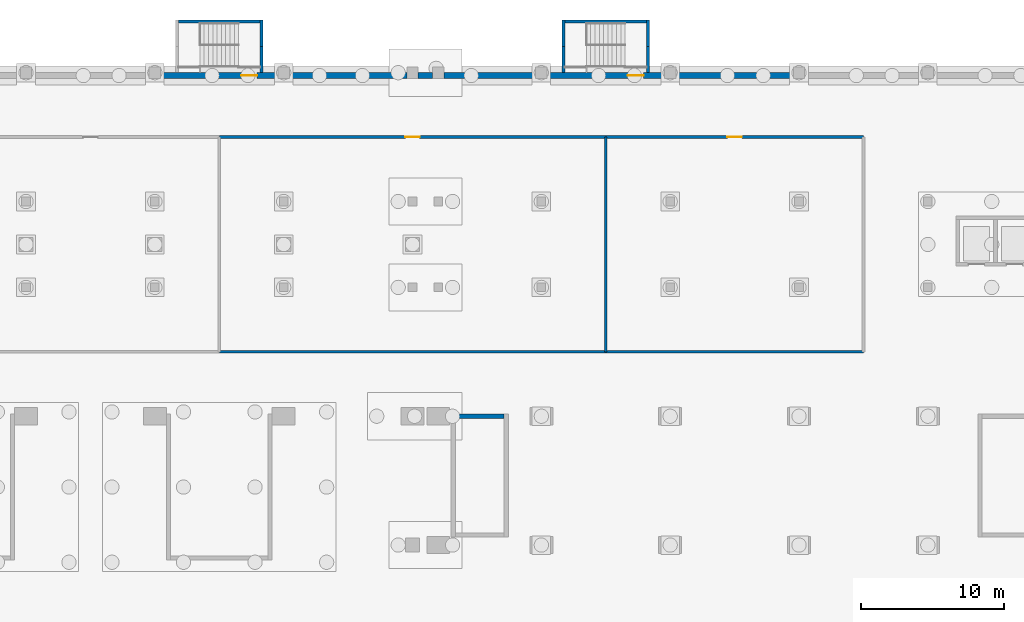
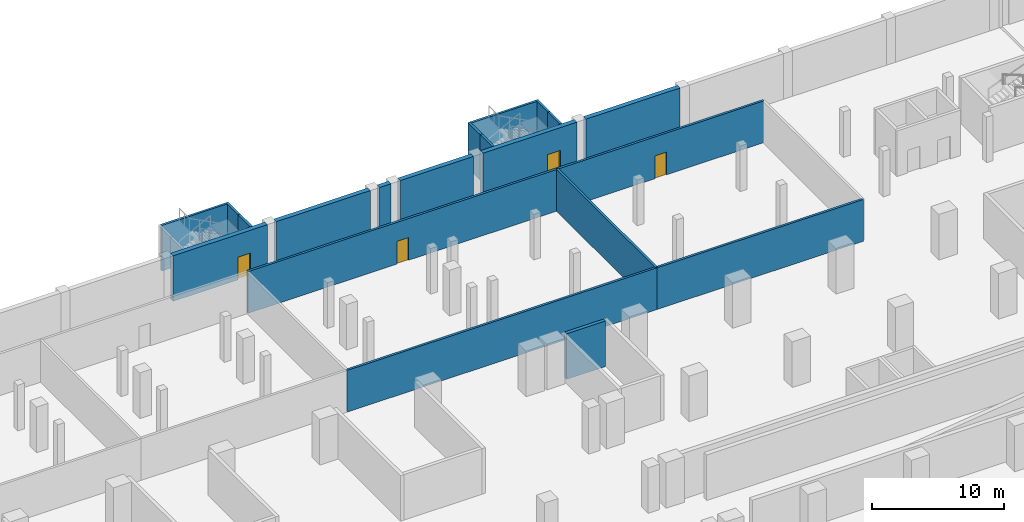
# One storey, part 14 of 29: 20 walls, 4 doors, 4 openings.
"""IFC4 building model written with IfcOpenShell, lengths in metres."""

from ifc_helpers import new_model, si_unit, direction, frame, frame_2d, origin, place, context, subcontext, project, spatial, rectangle, extrude, material, layer, layer_set, type_object, element, fill, save


model = new_model("IFC4")

# Units and contexts
model_context = context("Model", 3, precision=1e-05, world=origin(), true_north=direction((0.0, 1.0)))
body_context = subcontext(model_context, "Body", "Model", "MODEL_VIEW")
ifc_project = project(units=[si_unit("LENGTHUNIT", "METRE"), si_unit("AREAUNIT", "SQUARE_METRE"), si_unit("VOLUMEUNIT", "CUBIC_METRE"), si_unit("PLANEANGLEUNIT", "RADIAN"), si_unit("MASSUNIT", "GRAM", prefix="KILO")], contexts=[model_context])

# Site, building, storey
site_placement = place(None, origin())
site = spatial("IfcSite", under=ifc_project, at=site_placement, CompositionType="ELEMENT")
building_placement = place(site_placement, origin())
building = spatial("IfcBuilding", under=site, at=building_placement, Name="Aravalli Gate Trade Fair Centre", CompositionType="ELEMENT")
storey_placement = place(building_placement, frame((0.0, 0.0, -8.39990234375)))
storey = spatial("IfcBuildingStorey", under=building, at=storey_placement, Name="B2", CompositionType="ELEMENT", Elevation=-8.39990234375)

# Walls
ifc_material_1 = material(Name="Concrete M30", Category="concrete")
ifc_layer_1 = layer(ifc_material_1, 0.199951171875)
ifc_layer_set_1 = layer_set([ifc_layer_1], Name="Concrete M30")
wall_type_1 = type_object("IfcWallType", Name="Basement plant room wall 200", PredefinedType="SOLIDWALL", material=ifc_layer_set_1)
wall_1_placement = place(storey_placement, frame((91.5, 113.5, 0.0), z_axis=(0.0, 0.0, 1.0), x_axis=(1.0, 0.0, 0.0)))
element("IfcWall", 1, at=wall_1_placement, inside=storey, type_object=wall_type_1, Name="Basement plant room wall B2 04.1", PredefinedType="SOLIDWALL", context=body_context, shape_type="SweptSolid", body=[
    extrude(rectangle(XDim=27.0, YDim=0.199951171875, at=frame_2d((13.5, 0.0))), origin(), (0.0, 0.0, 1.0), 3.849853515625),
])
wall_2_placement = place(storey_placement, frame((118.5, 113.5, 0.0), z_axis=(0.0, 0.0, 1.0), x_axis=(1.0, 0.0, 0.0)))
element("IfcWall", 2, at=wall_2_placement, inside=storey, type_object=wall_type_1, Name="Basement plant room wall B2 05.1", PredefinedType="SOLIDWALL", context=body_context, shape_type="SweptSolid", body=[
    extrude(rectangle(XDim=18.0, YDim=0.199951171875, at=frame_2d((9.0, 0.0))), origin(), (0.0, 0.0, 1.0), 3.849853515625),
])

# Wall, opening, door
wall_3_placement = place(storey_placement, frame((91.5, 128.5, 0.0), z_axis=(0.0, 0.0, 1.0), x_axis=(1.0, 0.0, 0.0)))
wall_3 = element("IfcWall", 3, at=wall_3_placement, inside=storey, type_object=wall_type_1, Name="Basement plant room wall B2 09.1", PredefinedType="SOLIDWALL", context=body_context, shape_type="SweptSolid", body=[
    extrude(rectangle(XDim=27.0, YDim=0.199951171875, at=frame_2d((13.5, 0.0))), origin(), (0.0, 0.0, 1.0), 3.849853515625),
])
opening_1_placement = place(wall_3_placement, frame((13.0, 0.0, 0.0)))
opening_1 = element("IfcOpeningElement", 4, at=opening_1_placement, cuts=wall_3, Name="Opening B-B2-17", PredefinedType="OPENING", context=body_context, shape_type="SweptSolid", body=[
    extrude(rectangle(XDim=1.0, YDim=2.10009765625, at=frame_2d((0.5, 1.050048828125))), frame((0.0, 0.10986328125, 0.0), z_axis=(0.0, -1.0, 0.0), x_axis=(1.0, 0.0, 0.0)), (0.0, 0.0, 1.0), 0.219970703125),
])
ifc_material_2 = material(Name="Steel", Category="steel")
door_type_1 = type_object("IfcDoorType", Name="Basement plant door 1000x2100", OperationType="SINGLE_SWING_LEFT", PredefinedType="DOOR", material=ifc_material_2)
door_1_placement = place(opening_1_placement, frame((1.0, 0.0, 0.0), z_axis=(0.0, 0.0, 1.0), x_axis=(-1.0, 0.0, 0.0)))
door_1 = element("IfcDoor", 5, at=door_1_placement, inside=storey, type_object=door_type_1, Name="Door chl B2", OperationType="SINGLE_SWING_RIGHT", OverallHeight=2.10009765625, OverallWidth=1.0, PredefinedType="DOOR", context=body_context, shape_type="SweptSolid", body=[
    extrude(rectangle(XDim=1.0, YDim=2.10009765625, at=frame_2d((0.5, 1.050048828125))), frame((0.0, 0.02490234375, 0.0), z_axis=(0.0, -1.0, 0.0), x_axis=(1.0, 0.0, 0.0)), (0.0, 0.0, 1.0), 0.050048828125),
])
fill(opening_1, door_1)

wall_4_placement = place(storey_placement, frame((118.5, 128.5, 0.0), z_axis=(0.0, 0.0, 1.0), x_axis=(1.0, 0.0, 0.0)))
wall_4 = element("IfcWall", 6, at=wall_4_placement, inside=storey, type_object=wall_type_1, Name="Basement plant room wall B2 10.1", PredefinedType="SOLIDWALL", context=body_context, shape_type="SweptSolid", body=[
    extrude(rectangle(XDim=18.0, YDim=0.199951171875, at=frame_2d((9.0, 0.0))), origin(), (0.0, 0.0, 1.0), 3.849853515625),
])
opening_2_placement = place(wall_4_placement, frame((8.5, 0.0, 0.0)))
opening_2 = element("IfcOpeningElement", 7, at=opening_2_placement, cuts=wall_4, Name="Opening B-B2-18", PredefinedType="OPENING", context=body_context, shape_type="SweptSolid", body=[
    extrude(rectangle(XDim=1.0, YDim=2.10009765625, at=frame_2d((0.5, 1.050048828125))), frame((0.0, 0.10986328125, 0.0), z_axis=(0.0, -1.0, 0.0), x_axis=(1.0, 0.0, 0.0)), (0.0, 0.0, 1.0), 0.219970703125),
])
door_2_placement = place(opening_2_placement, frame((1.0, 0.0, 0.0), z_axis=(0.0, 0.0, 1.0), x_axis=(-1.0, 0.0, 0.0)))
door_2 = element("IfcDoor", 8, at=door_2_placement, inside=storey, type_object=door_type_1, Name="Door vent B2", OperationType="SINGLE_SWING_RIGHT", OverallHeight=2.10009765625, OverallWidth=1.0, PredefinedType="DOOR", context=body_context, shape_type="SweptSolid", body=[
    extrude(rectangle(XDim=1.0, YDim=2.10009765625, at=frame_2d((0.5, 1.050048828125))), frame((0.0, 0.02490234375, 0.0), z_axis=(0.0, -1.0, 0.0), x_axis=(1.0, 0.0, 0.0)), (0.0, 0.0, 1.0), 0.050048828125),
])
fill(opening_2, door_2)

# Wall
wall_5_placement = place(storey_placement, frame((118.5, 113.5, 0.0), z_axis=(0.0, 0.0, 1.0), x_axis=(0.0, 1.0, 0.0)))
element("IfcWall", 9, at=wall_5_placement, inside=storey, type_object=wall_type_1, Name="Basement plant room wall B2 15.1", PredefinedType="SOLIDWALL", context=body_context, shape_type="SweptSolid", body=[
    extrude(rectangle(XDim=15.0, YDim=0.199951171875, at=frame_2d((7.5, 0.0))), origin(), (0.0, 0.0, 1.0), 3.849853515625),
])

# Wall, opening, door
ifc_material_3 = material(Name="Concrete M40", Category="concrete")
ifc_layer_2 = layer(ifc_material_3, 0.39990234375)
ifc_layer_set_2 = layer_set([ifc_layer_2], Name="Concrete M40")
wall_type_2 = type_object("IfcWallType", Name="Basement retaining wall 400", PredefinedType="SOLIDWALL", material=ifc_layer_set_2)
wall_6_placement = place(storey_placement, frame((87.39990234375, 132.800048828125, 0.0), z_axis=(0.0, 0.0, 1.0), x_axis=(1.0, 0.0, 0.0)))
wall_6 = element("IfcWall", 10, at=wall_6_placement, inside=storey, type_object=wall_type_2, Name="Retaining wall N10 B2", PredefinedType="SOLIDWALL", context=body_context, shape_type="SweptSolid", body=[
    extrude(rectangle(XDim=8.2001953125, YDim=0.39990234375, at=frame_2d((4.10009765625, 0.0))), origin(), (0.0, 0.0, 1.0), 4.199951171875),
])
opening_3_placement = place(wall_6_placement, frame((5.64990234375, 0.0, 0.0)))
opening_3 = element("IfcOpeningElement", 11, at=opening_3_placement, cuts=wall_6, Name="Opening B-B2-05", PredefinedType="OPENING", context=body_context, shape_type="SweptSolid", body=[
    extrude(rectangle(XDim=1.10009765625, YDim=2.10009765625, at=frame_2d((0.550048828125, 1.050048828125))), frame((0.0, 0.2099609375, 0.0), z_axis=(0.0, -1.0, 0.0), x_axis=(1.0, 0.0, 0.0)), (0.0, 0.0, 1.0), 0.419921875),
])
door_type_2 = type_object("IfcDoorType", Name="Basement stair door 1100x2100", OperationType="SINGLE_SWING_LEFT", PredefinedType="DOOR", material=ifc_material_2)
door_3_placement = place(opening_3_placement, origin())
door_3 = element("IfcDoor", 12, at=door_3_placement, inside=storey, type_object=door_type_2, Name="Basement stair N3 door B2", OperationType="SINGLE_SWING_RIGHT", OverallHeight=2.10009765625, OverallWidth=1.10009765625, PredefinedType="DOOR", context=body_context, shape_type="SweptSolid", body=[
    extrude(rectangle(XDim=1.10009765625, YDim=2.10009765625, at=frame_2d((0.550048828125, 1.050048828125))), frame((0.0, 0.02490234375, 0.0), z_axis=(0.0, -1.0, 0.0), x_axis=(1.0, 0.0, 0.0)), (0.0, 0.0, 1.0), 0.050048828125),
])
fill(opening_3, door_3)

# Walls
wall_7_placement = place(storey_placement, frame((96.39990234375, 132.800048828125, 0.0), z_axis=(0.0, 0.0, 1.0), x_axis=(1.0, 0.0, 0.0)))
element("IfcWall", 13, at=wall_7_placement, inside=storey, type_object=wall_type_2, Name="Retaining wall N11 B2", PredefinedType="SOLIDWALL", context=body_context, shape_type="SweptSolid", body=[
    extrude(rectangle(XDim=8.2001953125, YDim=0.39990234375, at=frame_2d((4.10009765625, 0.0))), origin(), (0.0, 0.0, 1.0), 4.199951171875),
])
wall_8_placement = place(storey_placement, frame((105.39990234375, 132.800048828125, 0.0), z_axis=(0.0, 0.0, 1.0), x_axis=(1.0, 0.0, 0.0)))
element("IfcWall", 14, at=wall_8_placement, inside=storey, type_object=wall_type_2, Name="Retaining wall N12 B2", PredefinedType="SOLIDWALL", context=body_context, shape_type="SweptSolid", body=[
    extrude(rectangle(XDim=1.0, YDim=0.39990234375, at=frame_2d((0.5, 0.0))), origin(), (0.0, 0.0, 1.0), 4.199951171875),
])
wall_9_placement = place(storey_placement, frame((107.199951171875, 132.800048828125, 0.0), z_axis=(0.0, 0.0, 1.0), x_axis=(1.0, 0.0, 0.0)))
element("IfcWall", 15, at=wall_9_placement, inside=storey, type_object=wall_type_2, Name="Retaining wall N13 B2", PredefinedType="SOLIDWALL", context=body_context, shape_type="SweptSolid", body=[
    extrude(rectangle(XDim=6.400146484375, YDim=0.39990234375, at=frame_2d((3.2001953125, 0.0))), origin(), (0.0, 0.0, 1.0), 4.199951171875),
])

# Wall, opening, door
wall_10_placement = place(storey_placement, frame((114.39990234375, 132.800048828125, 0.0), z_axis=(0.0, 0.0, 1.0), x_axis=(1.0, 0.0, 0.0)))
wall_10 = element("IfcWall", 16, at=wall_10_placement, inside=storey, type_object=wall_type_2, Name="Retaining wall N14 B2", PredefinedType="SOLIDWALL", context=body_context, shape_type="SweptSolid", body=[
    extrude(rectangle(XDim=8.2001953125, YDim=0.39990234375, at=frame_2d((4.10009765625, 0.0))), origin(), (0.0, 0.0, 1.0), 4.199951171875),
])
opening_4_placement = place(wall_10_placement, frame((5.64990234375, 0.0, 0.0)))
opening_4 = element("IfcOpeningElement", 17, at=opening_4_placement, cuts=wall_10, Name="Opening B-B2-06", PredefinedType="OPENING", context=body_context, shape_type="SweptSolid", body=[
    extrude(rectangle(XDim=1.10009765625, YDim=2.10009765625, at=frame_2d((0.550048828125, 1.050048828125))), frame((0.0, 0.2099609375, 0.0), z_axis=(0.0, -1.0, 0.0), x_axis=(1.0, 0.0, 0.0)), (0.0, 0.0, 1.0), 0.419921875),
])
door_4_placement = place(opening_4_placement, origin())
door_4 = element("IfcDoor", 18, at=door_4_placement, inside=storey, type_object=door_type_2, Name="Basement stair N4 door B2", OperationType="SINGLE_SWING_RIGHT", OverallHeight=2.10009765625, OverallWidth=1.10009765625, PredefinedType="DOOR", context=body_context, shape_type="SweptSolid", body=[
    extrude(rectangle(XDim=1.10009765625, YDim=2.10009765625, at=frame_2d((0.550048828125, 1.050048828125))), frame((0.0, 0.02490234375, 0.0), z_axis=(0.0, -1.0, 0.0), x_axis=(1.0, 0.0, 0.0)), (0.0, 0.0, 1.0), 0.050048828125),
])
fill(opening_4, door_4)

# Walls
wall_11_placement = place(storey_placement, frame((123.39990234375, 132.800048828125, 0.0), z_axis=(0.0, 0.0, 1.0), x_axis=(1.0, 0.0, 0.0)))
element("IfcWall", 19, at=wall_11_placement, inside=storey, type_object=wall_type_2, Name="Retaining wall N15 B2", PredefinedType="SOLIDWALL", context=body_context, shape_type="SweptSolid", body=[
    extrude(rectangle(XDim=8.2001953125, YDim=0.39990234375, at=frame_2d((4.10009765625, 0.0))), origin(), (0.0, 0.0, 1.0), 4.199951171875),
])
ifc_material_4 = material(Name="Concrete M35", Category="concrete")
ifc_layer_3 = layer(ifc_material_4, 0.199951171875)
ifc_layer_set_3 = layer_set([ifc_layer_3], Name="Concrete M35")
wall_type_3 = type_object("IfcWallType", Name="Basement stair enclosure wall 200", PredefinedType="SOLIDWALL", material=ifc_layer_set_3)
wall_12_placement = place(storey_placement, frame((94.449951171875, 133.0, 0.0), z_axis=(0.0, 0.0, 1.0), x_axis=(0.0, 1.0, 0.0)))
element("IfcWall", 20, at=wall_12_placement, inside=storey, type_object=wall_type_3, Name="Basement stair N3 enclosure wall L1 B2", PredefinedType="SOLIDWALL", context=body_context, shape_type="SweptSolid", body=[
    extrude(rectangle(XDim=1.840087890625, YDim=0.199951171875, at=frame_2d((0.919921875, 0.0))), origin(), (0.0, 0.0, 1.0), 4.199951171875),
])
wall_13_placement = place(storey_placement, frame((94.449951171875, 134.840087890625, 0.0), z_axis=(0.0, 0.0, 1.0), x_axis=(0.0, 1.0, 0.0)))
element("IfcWall", 21, at=wall_13_placement, inside=storey, type_object=wall_type_3, Name="Basement stair N3 enclosure wall L2 B2", PredefinedType="SOLIDWALL", context=body_context, shape_type="SweptSolid", body=[
    extrude(rectangle(XDim=1.83984375, YDim=0.199951171875, at=frame_2d((0.919921875, 0.0))), origin(), (0.0, 0.0, 1.0), 4.199951171875),
])
wall_14_placement = place(storey_placement, frame((94.35009765625, 136.580078125, 0.0), z_axis=(0.0, 0.0, 1.0), x_axis=(-1.0, 0.0, 0.0)))
element("IfcWall", 22, at=wall_14_placement, inside=storey, type_object=wall_type_3, Name="Basement stair N3 enclosure wall O B2", PredefinedType="SOLIDWALL", context=body_context, shape_type="SweptSolid", body=[
    extrude(rectangle(XDim=5.7001953125, YDim=0.199951171875, at=frame_2d((2.85009765625, 0.0))), origin(), (0.0, 0.0, 1.0), 4.199951171875),
])
wall_15_placement = place(storey_placement, frame((121.449951171875, 133.0, 0.0), z_axis=(0.0, 0.0, 1.0), x_axis=(0.0, 1.0, 0.0)))
element("IfcWall", 23, at=wall_15_placement, inside=storey, type_object=wall_type_3, Name="Basement stair N4 enclosure wall L1 B2", PredefinedType="SOLIDWALL", context=body_context, shape_type="SweptSolid", body=[
    extrude(rectangle(XDim=1.840087890625, YDim=0.199951171875, at=frame_2d((0.919921875, 0.0))), origin(), (0.0, 0.0, 1.0), 4.199951171875),
])
wall_16_placement = place(storey_placement, frame((121.449951171875, 134.840087890625, 0.0), z_axis=(0.0, 0.0, 1.0), x_axis=(0.0, 1.0, 0.0)))
element("IfcWall", 24, at=wall_16_placement, inside=storey, type_object=wall_type_3, Name="Basement stair N4 enclosure wall L2 B2", PredefinedType="SOLIDWALL", context=body_context, shape_type="SweptSolid", body=[
    extrude(rectangle(XDim=1.83984375, YDim=0.199951171875, at=frame_2d((0.919921875, 0.0))), origin(), (0.0, 0.0, 1.0), 4.199951171875),
])
wall_17_placement = place(storey_placement, frame((115.550048828125, 133.0, 0.0), z_axis=(0.0, 0.0, 1.0), x_axis=(0.0, 1.0, 0.0)))
element("IfcWall", 25, at=wall_17_placement, inside=storey, type_object=wall_type_3, Name="Basement stair N4 enclosure wall R1 B2", PredefinedType="SOLIDWALL", context=body_context, shape_type="SweptSolid", body=[
    extrude(rectangle(XDim=1.840087890625, YDim=0.199951171875, at=frame_2d((0.919921875, 0.0))), origin(), (0.0, 0.0, 1.0), 4.199951171875),
])
wall_18_placement = place(storey_placement, frame((115.550048828125, 134.840087890625, 0.0), z_axis=(0.0, 0.0, 1.0), x_axis=(0.0, 1.0, 0.0)))
element("IfcWall", 26, at=wall_18_placement, inside=storey, type_object=wall_type_3, Name="Basement stair N4 enclosure wall R2 B2", PredefinedType="SOLIDWALL", context=body_context, shape_type="SweptSolid", body=[
    extrude(rectangle(XDim=1.83984375, YDim=0.199951171875, at=frame_2d((0.919921875, 0.0))), origin(), (0.0, 0.0, 1.0), 4.199951171875),
])
wall_19_placement = place(storey_placement, frame((121.35009765625, 136.580078125, 0.0), z_axis=(0.0, 0.0, 1.0), x_axis=(-1.0, 0.0, 0.0)))
element("IfcWall", 27, at=wall_19_placement, inside=storey, type_object=wall_type_3, Name="Basement stair N4 enclosure wall O B2", PredefinedType="SOLIDWALL", context=body_context, shape_type="SweptSolid", body=[
    extrude(rectangle(XDim=5.7001953125, YDim=0.199951171875, at=frame_2d((2.85009765625, 0.0))), origin(), (0.0, 0.0, 1.0), 4.199951171875),
])
ifc_layer_4 = layer(ifc_material_3, 0.300048828125)
ifc_layer_set_4 = layer_set([ifc_layer_4], Name="Concrete M40")
wall_type_4 = type_object("IfcWallType", Name="Congress RC wall 300", PredefinedType="SHEAR", material=ifc_layer_set_4)
wall_20_placement = place(storey_placement, frame((108.0, 109.0, 0.0), z_axis=(0.0, 0.0, 1.0), x_axis=(1.0, 0.0, 0.0)))
element("IfcWall", 28, at=wall_20_placement, inside=storey, type_object=wall_type_4, Name="Foyer Stair West wall N B2", PredefinedType="SHEAR", context=body_context, shape_type="SweptSolid", body=[
    extrude(rectangle(XDim=3.39990234375, YDim=0.300048828125, at=frame_2d((1.699951171875, 0.0))), origin(), (0.0, 0.0, 1.0), 4.199951171875),
])

save(model, "model.ifc")
